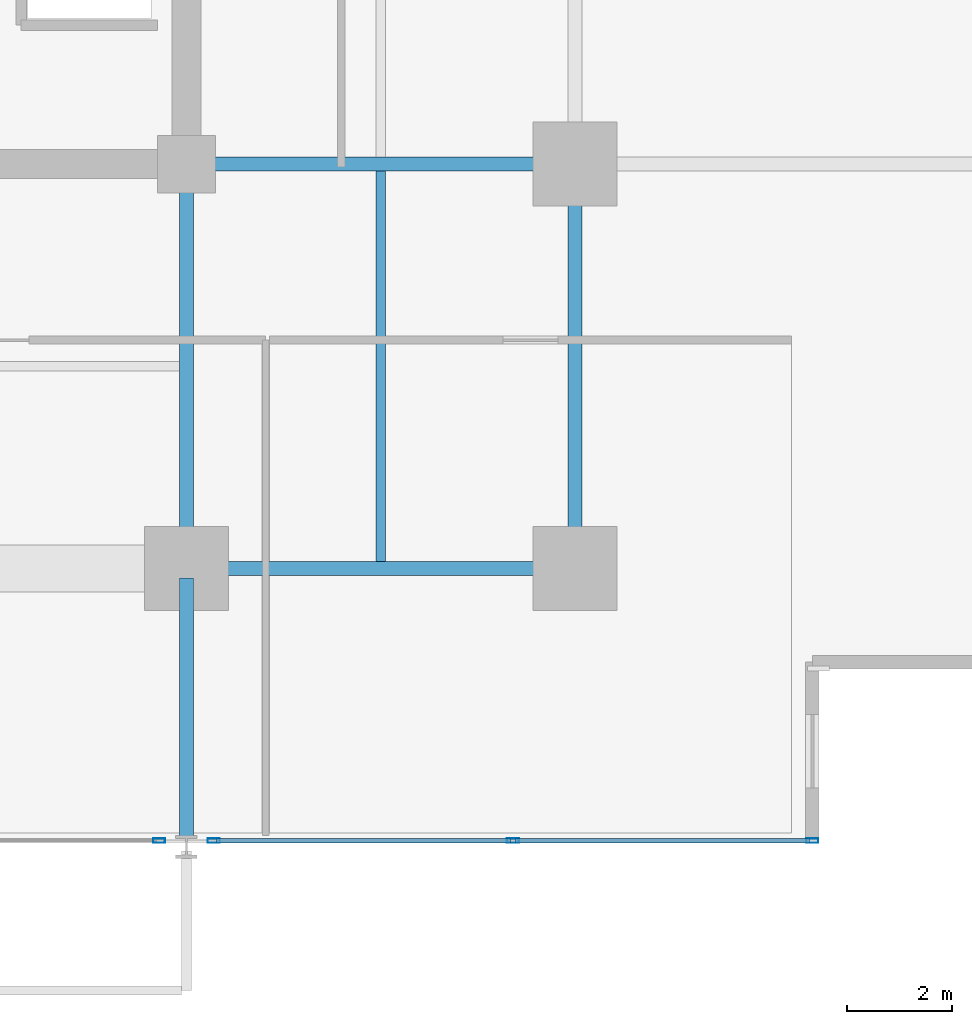
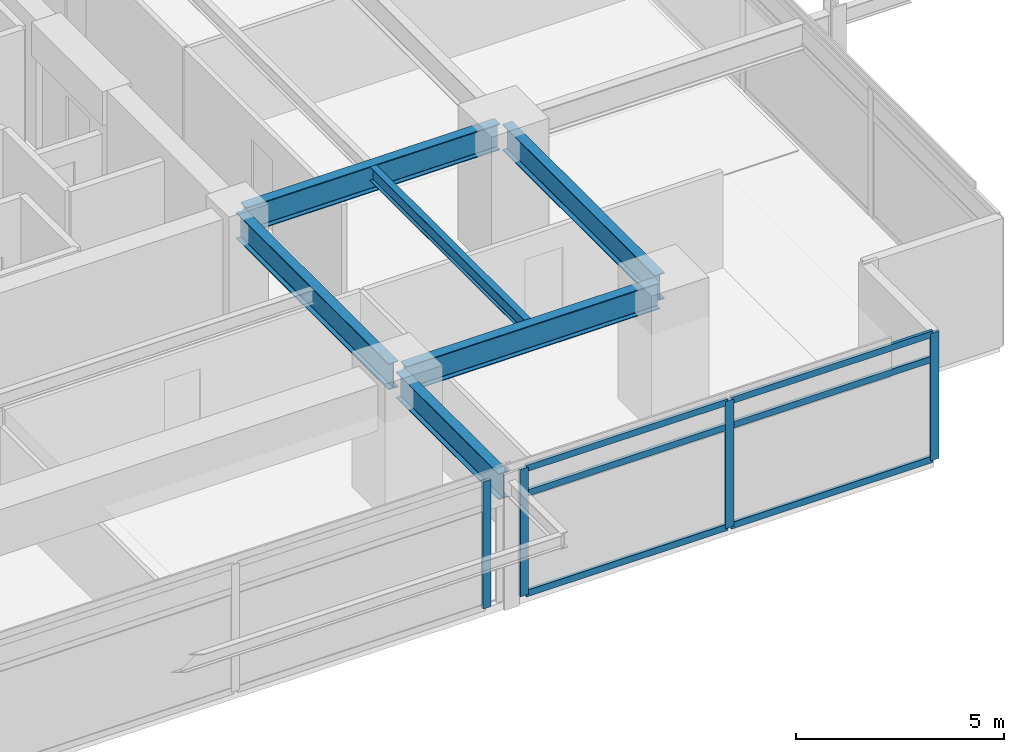
# One storey, part 7 of 23: 10 members, 6 beams, 2 elements without a shape of their own.
"""IFC4 building model written with IfcOpenShell, lengths in metres."""

from ifc_helpers import new_model, si_unit, direction, frame, origin, origin_2d, place, context, subcontext, project, spatial, hollow_rectangle, i_section, extrude, material, material_profile, profile_set, type_object, element, aggregate, save


model = new_model("IFC4")

# Units and contexts
model_context = context("Model", 3, precision=1e-05, world=origin(), true_north=direction((0.0, 1.0)))
body_context = subcontext(model_context, "Body", "Model", "MODEL_VIEW")
ifc_project = project(units=[si_unit("LENGTHUNIT", "METRE"), si_unit("AREAUNIT", "SQUARE_METRE"), si_unit("VOLUMEUNIT", "CUBIC_METRE"), si_unit("PLANEANGLEUNIT", "RADIAN"), si_unit("MASSUNIT", "GRAM", prefix="KILO")], contexts=[model_context])

# Site, building, storey
site_placement = place(None, origin())
site = spatial("IfcSite", under=ifc_project, at=site_placement, CompositionType="ELEMENT")
building_placement = place(site_placement, origin())
building = spatial("IfcBuilding", under=site, at=building_placement, Name="Kovane Verandah Tower", CompositionType="ELEMENT")
storey_placement = place(building_placement, frame((0.0, 0.0, 168.39990234375)))
storey = spatial("IfcBuildingStorey", under=building, at=storey_placement, Name="L39", CompositionType="ELEMENT", Elevation=168.39990234375)

# Beams
ifc_material_1 = material(Name="Steel S355", Category="steel")
ifc_material_profile_1 = material_profile(ifc_material_1, i_section(OverallWidth=0.26806640625, OverallDepth=0.769775390625, WebThickness=0.015625, FlangeThickness=0.025390625, FilletRadius=0.0166015625, at=origin_2d()), Name="UB762x267x197")
ifc_profile_set_1 = profile_set([ifc_material_profile_1], Name="Steel S355")
beam_type_1 = type_object("IfcBeamType", Name="BM-UB762x197", PredefinedType="BEAM", material=ifc_profile_set_1)
beam_1_placement = place(storey_placement, frame((51.179931640625, 10.800048828125, 3.39013671875), z_axis=(1.0, 0.0, 0.0), x_axis=(0.0, 1.0, 0.0)))
element("IfcBeam", 1, at=beam_1_placement, inside=storey, type_object=beam_type_1, Name="L39 Primary Tower Girder G-RS3", PredefinedType="BEAM", context=body_context, shape_type="SweptSolid", body=[
    extrude(i_section(OverallWidth=0.26806640625, OverallDepth=0.769775390625, WebThickness=0.015625, FlangeThickness=0.025390625, FilletRadius=0.0166015625, at=origin_2d()), origin(), (0.0, 0.0, 1.0), 7.0400390625),
])
beam_2_placement = place(storey_placement, frame((58.39990234375, 10.97998046875, 3.39013671875), z_axis=(0.0, 1.0, 0.0), x_axis=(-1.0, 0.0, 0.0)))
element("IfcBeam", 2, at=beam_2_placement, inside=storey, type_object=beam_type_1, Name="L39 Primary Tower Girder G-RE1", PredefinedType="BEAM", context=body_context, shape_type="SweptSolid", body=[
    extrude(i_section(OverallWidth=0.26806640625, OverallDepth=0.769775390625, WebThickness=0.015625, FlangeThickness=0.025390625, FilletRadius=0.0166015625, at=origin_2d()), origin(), (0.0, 0.0, 1.0), 7.340087890625),
])
beam_3_placement = place(storey_placement, frame((51.179931640625, 18.5, 3.39013671875), z_axis=(1.0, 0.0, 0.0), x_axis=(0.0, 1.0, 0.0)))
element("IfcBeam", 3, at=beam_3_placement, inside=storey, type_object=beam_type_1, Name="L39 Primary Tower Girder G-E1", PredefinedType="BEAM", context=body_context, shape_type="SweptSolid", body=[
    extrude(i_section(OverallWidth=0.26806640625, OverallDepth=0.769775390625, WebThickness=0.015625, FlangeThickness=0.025390625, FilletRadius=0.0166015625, at=origin_2d()), origin(), (0.0, 0.0, 1.0), 7.0400390625),
])
beam_4_placement = place(storey_placement, frame((51.0, 18.320068359375, 3.39013671875), z_axis=(0.0, -1.0, 0.0), x_axis=(1.0, 0.0, 0.0)))
element("IfcBeam", 4, at=beam_4_placement, inside=storey, type_object=beam_type_1, Name="L39 Primary Tower Girder G-S2", PredefinedType="BEAM", context=body_context, shape_type="SweptSolid", body=[
    extrude(i_section(OverallWidth=0.26806640625, OverallDepth=0.769775390625, WebThickness=0.015625, FlangeThickness=0.025390625, FilletRadius=0.0166015625, at=origin_2d()), origin(), (0.0, 0.0, 1.0), 7.340087890625),
])
beam_5_placement = place(storey_placement, frame((51.0, 10.6201171875, 3.375244140625), z_axis=(0.0, -1.0, 0.0), x_axis=(1.0, 0.0, 0.0)))
element("IfcBeam", 5, at=beam_5_placement, inside=storey, type_object=beam_type_1, Name="L39 Primary Tower Girder G-VS2", PredefinedType="BEAM", context=body_context, shape_type="SweptSolid", body=[
    extrude(i_section(OverallWidth=0.26806640625, OverallDepth=0.769775390625, WebThickness=0.015625, FlangeThickness=0.025390625, FilletRadius=0.0166015625, at=origin_2d()), origin(), (0.0, 0.0, 1.0), 4.940185546875),
])

# Curtain wall, member
ifc_material_2 = material(Name="Champagne Anodised Aluminium Frame with Low-E Clear Laminated Glass", Category="aluminium")
curtain_wall_type = type_object("IfcCurtainWallType", Name="CW-SYS-03-MID", PredefinedType="NOTDEFINED", material=ifc_material_2)
curtain_wall_1_placement = place(storey_placement, origin())
curtain_wall_1 = element("IfcCurtainWall", 6, at=curtain_wall_1_placement, inside=storey, type_object=curtain_wall_type, Name="L39 S Unitised Curtain Wall-2", PredefinedType="NOTDEFINED")
ifc_material_3 = material(Name="Champagne Anodised Aluminium 6063-T6", Category="aluminium")
ifc_material_profile_2 = material_profile(ifc_material_3, hollow_rectangle(XDim=0.0849609375, YDim=0.22998046875, WallThickness=0.00390625, at=origin_2d()), Name="AL85x230x4")
ifc_profile_set_2 = profile_set([ifc_material_profile_2], Name="Champagne Anodised Aluminium 6063-T6")
member_type_1 = type_object("IfcMemberType", Name="CW-MUL-85x230", PredefinedType="MULLION", material=ifc_profile_set_2)
member_1_placement = place(storey_placement, frame((50.47998046875, 5.617919921875, 0.02001953125), z_axis=(0.0, 0.0, 1.0), x_axis=(0.0, -1.0, 0.0)))
member_1 = element("IfcMember", 7, at=member_1_placement, type_object=member_type_1, Name="L39 S Unitised Curtain Wall-2 Mullion 4", PredefinedType="MULLION", context=body_context, shape_type="SweptSolid", body=[
    extrude(hollow_rectangle(XDim=0.0849609375, YDim=0.22998046875, WallThickness=0.00390625, at=origin_2d()), origin(), (0.0, 0.0, 1.0), 3.735107421875),
])
aggregate(curtain_wall_1, [member_1])

# Curtain wall, members
curtain_wall_2_placement = place(storey_placement, origin())
curtain_wall_2 = element("IfcCurtainWall", 8, at=curtain_wall_2_placement, inside=storey, type_object=curtain_wall_type, Name="L39 S Unitised Curtain Wall-3", PredefinedType="NOTDEFINED")
member_2_placement = place(storey_placement, frame((51.52001953125, 5.617919921875, 0.02001953125), z_axis=(0.0, 0.0, 1.0), x_axis=(0.0, -1.0, 0.0)))
member_2 = element("IfcMember", 9, at=member_2_placement, type_object=member_type_1, Name="L39 S Unitised Curtain Wall-3 Mullion 1", PredefinedType="MULLION", context=body_context, shape_type="SweptSolid", body=[
    extrude(hollow_rectangle(XDim=0.0849609375, YDim=0.22998046875, WallThickness=0.00390625, at=origin_2d()), origin(), (0.0, 0.0, 1.0), 3.735107421875),
])
member_3_placement = place(storey_placement, frame((57.219970703125, 5.617919921875, 0.02001953125), z_axis=(0.0, 0.0, 1.0), x_axis=(0.0, -1.0, 0.0)))
member_3 = element("IfcMember", 10, at=member_3_placement, type_object=member_type_1, Name="L39 S Unitised Curtain Wall-3 Mullion 2", PredefinedType="MULLION", context=body_context, shape_type="SweptSolid", body=[
    extrude(hollow_rectangle(XDim=0.0849609375, YDim=0.22998046875, WallThickness=0.00390625, at=origin_2d()), origin(), (0.0, 0.0, 1.0), 3.735107421875),
])
member_4_placement = place(storey_placement, frame((62.919921875, 5.617919921875, 0.02001953125), z_axis=(0.0, 0.0, 1.0), x_axis=(0.0, -1.0, 0.0)))
member_4 = element("IfcMember", 11, at=member_4_placement, type_object=member_type_1, Name="L39 S Unitised Curtain Wall-3 Mullion 3", PredefinedType="MULLION", context=body_context, shape_type="SweptSolid", body=[
    extrude(hollow_rectangle(XDim=0.0849609375, YDim=0.22998046875, WallThickness=0.00390625, at=origin_2d()), origin(), (0.0, 0.0, 1.0), 3.735107421875),
])
ifc_material_profile_3 = material_profile(ifc_material_3, hollow_rectangle(XDim=0.0849609375, YDim=0.18994140625, WallThickness=0.00390625, at=origin_2d()), Name="AL85x190x4")
ifc_profile_set_3 = profile_set([ifc_material_profile_3], Name="Champagne Anodised Aluminium 6063-T6")
member_type_2 = type_object("IfcMemberType", Name="CW-TRN-85x190", PredefinedType="USERDEFINED", material=ifc_profile_set_3)
member_5_placement = place(storey_placement, frame((51.570068359375, 5.617919921875, 0.050048828125), z_axis=(1.0, 0.0, 0.0), x_axis=(0.0, 1.0, 0.0)))
member_5 = element("IfcMember", 12, at=member_5_placement, type_object=member_type_2, Name="L39 S Unitised Curtain Wall-3 Transom TB Bay 1", ObjectType="TRANSOM", PredefinedType="USERDEFINED", context=body_context, shape_type="SweptSolid", body=[
    extrude(hollow_rectangle(XDim=0.0849609375, YDim=0.18994140625, WallThickness=0.00390625, at=origin_2d()), origin(), (0.0, 0.0, 1.0), 5.599853515625),
])
member_6_placement = place(storey_placement, frame((51.570068359375, 5.617919921875, 2.9951171875), z_axis=(1.0, 0.0, 0.0), x_axis=(0.0, 1.0, 0.0)))
member_6 = element("IfcMember", 13, at=member_6_placement, type_object=member_type_2, Name="L39 S Unitised Curtain Wall-3 Transom TM Bay 1", ObjectType="TRANSOM", PredefinedType="USERDEFINED", context=body_context, shape_type="SweptSolid", body=[
    extrude(hollow_rectangle(XDim=0.0849609375, YDim=0.18994140625, WallThickness=0.00390625, at=origin_2d()), origin(), (0.0, 0.0, 1.0), 5.599853515625),
])
member_7_placement = place(storey_placement, frame((51.570068359375, 5.617919921875, 3.72509765625), z_axis=(1.0, 0.0, 0.0), x_axis=(0.0, 1.0, 0.0)))
member_7 = element("IfcMember", 14, at=member_7_placement, type_object=member_type_2, Name="L39 S Unitised Curtain Wall-3 Transom TT Bay 1", ObjectType="TRANSOM", PredefinedType="USERDEFINED", context=body_context, shape_type="SweptSolid", body=[
    extrude(hollow_rectangle(XDim=0.0849609375, YDim=0.18994140625, WallThickness=0.00390625, at=origin_2d()), origin(), (0.0, 0.0, 1.0), 5.599853515625),
])
member_8_placement = place(storey_placement, frame((57.27001953125, 5.617919921875, 0.050048828125), z_axis=(1.0, 0.0, 0.0), x_axis=(0.0, 1.0, 0.0)))
member_8 = element("IfcMember", 15, at=member_8_placement, type_object=member_type_2, Name="L39 S Unitised Curtain Wall-3 Transom TB Bay 2", ObjectType="TRANSOM", PredefinedType="USERDEFINED", context=body_context, shape_type="SweptSolid", body=[
    extrude(hollow_rectangle(XDim=0.0849609375, YDim=0.18994140625, WallThickness=0.00390625, at=origin_2d()), origin(), (0.0, 0.0, 1.0), 5.599853515625),
])
member_9_placement = place(storey_placement, frame((57.27001953125, 5.617919921875, 2.9951171875), z_axis=(1.0, 0.0, 0.0), x_axis=(0.0, 1.0, 0.0)))
member_9 = element("IfcMember", 16, at=member_9_placement, type_object=member_type_2, Name="L39 S Unitised Curtain Wall-3 Transom TM Bay 2", ObjectType="TRANSOM", PredefinedType="USERDEFINED", context=body_context, shape_type="SweptSolid", body=[
    extrude(hollow_rectangle(XDim=0.0849609375, YDim=0.18994140625, WallThickness=0.00390625, at=origin_2d()), origin(), (0.0, 0.0, 1.0), 5.599853515625),
])
member_10_placement = place(storey_placement, frame((57.27001953125, 5.617919921875, 3.72509765625), z_axis=(1.0, 0.0, 0.0), x_axis=(0.0, 1.0, 0.0)))
member_10 = element("IfcMember", 17, at=member_10_placement, type_object=member_type_2, Name="L39 S Unitised Curtain Wall-3 Transom TT Bay 2", ObjectType="TRANSOM", PredefinedType="USERDEFINED", context=body_context, shape_type="SweptSolid", body=[
    extrude(hollow_rectangle(XDim=0.0849609375, YDim=0.18994140625, WallThickness=0.00390625, at=origin_2d()), origin(), (0.0, 0.0, 1.0), 5.599853515625),
])
aggregate(curtain_wall_2, [member_2, member_3, member_4, member_5, member_6, member_7, member_8, member_9, member_10])

# Beam
ifc_material_profile_4 = material_profile(ifc_material_1, i_section(OverallWidth=0.179443359375, OverallDepth=0.412841796875, WebThickness=0.009521484375, FlangeThickness=0.01611328125, FilletRadius=0.01025390625, at=origin_2d()), Name="UB406x178x74")
ifc_profile_set_4 = profile_set([ifc_material_profile_4], Name="Steel S355")
beam_type_2 = type_object("IfcBeamType", Name="JST-UB406x74", PredefinedType="JOIST", material=ifc_profile_set_4)
beam_6_placement = place(storey_placement, frame((54.699951171875, 10.931884765625, 3.568603515625), z_axis=(0.0, 1.0, 0.0), x_axis=(-1.0, 0.0, 0.0)))
element("IfcBeam", 18, at=beam_6_placement, inside=storey, type_object=beam_type_2, Name="L39 Secondary Composite Joist J-SE1", PredefinedType="JOIST", context=body_context, shape_type="SweptSolid", body=[
    extrude(i_section(OverallWidth=0.179443359375, OverallDepth=0.412841796875, WebThickness=0.009521484375, FlangeThickness=0.01611328125, FilletRadius=0.01025390625, at=origin_2d()), origin(), (0.0, 0.0, 1.0), 7.43603515625),
])

save(model, "model.ifc")
